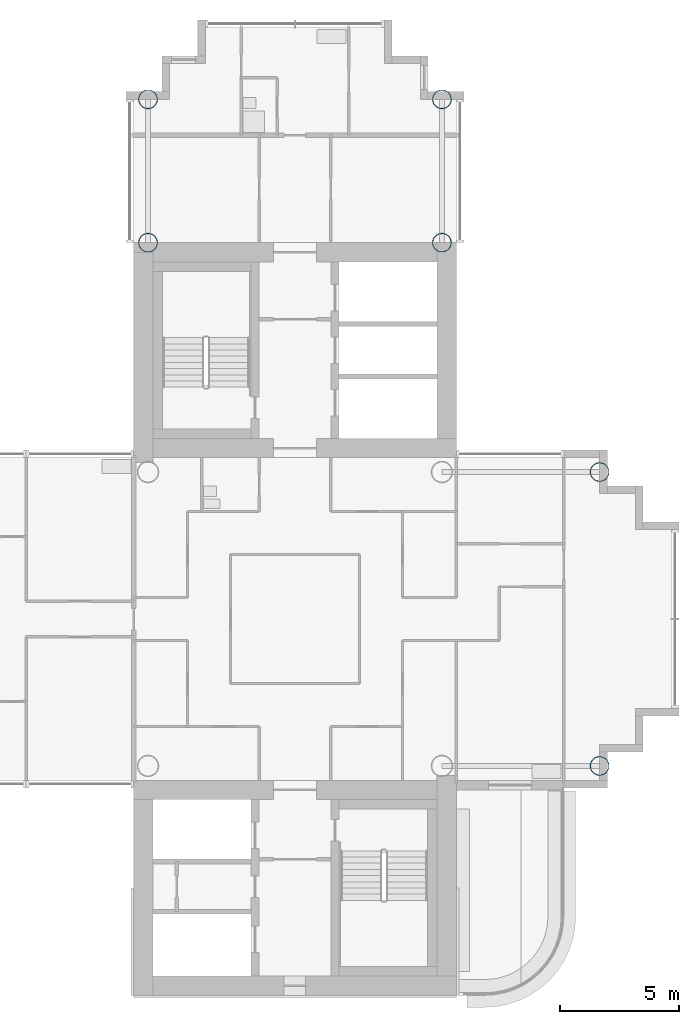
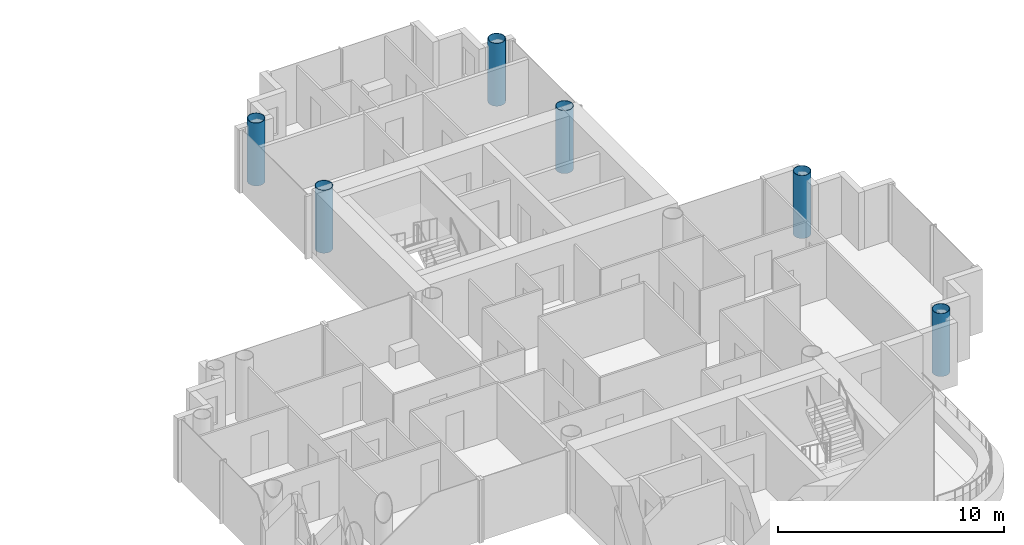
# One storey, part 2 of 20: 6 columns.
"""IFC4 building model written with IfcOpenShell, lengths in metres."""

from ifc_helpers import new_model, si_unit, direction, frame, origin, origin_2d, place, context, subcontext, project, spatial, hollow_circle, extrude, material, material_profile, profile_set, type_object, element, save


model = new_model("IFC4")

# Units and contexts
model_context = context("Model", 3, precision=1e-05, world=origin(), true_north=direction((0.0, 1.0)))
body_context = subcontext(model_context, "Body", "Model", "MODEL_VIEW")
ifc_project = project(units=[si_unit("LENGTHUNIT", "METRE"), si_unit("AREAUNIT", "SQUARE_METRE"), si_unit("VOLUMEUNIT", "CUBIC_METRE"), si_unit("PLANEANGLEUNIT", "RADIAN"), si_unit("MASSUNIT", "GRAM", prefix="KILO")], contexts=[model_context])

# Site, building, storey
site_placement = place(None, origin())
site = spatial("IfcSite", under=ifc_project, at=site_placement, CompositionType="ELEMENT")
building_placement = place(site_placement, origin())
building = spatial("IfcBuilding", under=site, at=building_placement, Name="Ipe Terrace Towers", CompositionType="ELEMENT")
storey_placement = place(building_placement, frame((0.0, 0.0, 154.10009765625)))
storey = spatial("IfcBuildingStorey", under=building, at=storey_placement, Name="L42", CompositionType="ELEMENT", Elevation=154.10009765625)

# Columns
ifc_material = material(Name="Steel S355 tube with Concrete C60/75 fill", Category="concrete")
ifc_material_profile = material_profile(ifc_material, hollow_circle(Radius=0.39990234375, WallThickness=0.028076171875, at=origin_2d()), Name="CHS-800x28")
ifc_profile_set = profile_set([ifc_material_profile], Name="Steel S355 tube with Concrete C60/75 fill")
column_type = type_object("IfcColumnType", Name="CH09 COLUMN CHS-800x28", PredefinedType="COLUMN", material=ifc_profile_set)
for number, where, z_axis, x_axis, name in (
    (1, (42.14990234375, 15.75, 0.0), (0.0, 0.0, 1.0), (1.0, 0.0, 0.0), "Column T2-C-A01"),
    (2, (29.85009765625, 15.75, 0.0), (0.0, 0.0, 1.0), (1.0, 0.0, 0.0), "Column T2-C-A02"),
    (3, (42.14990234375, 21.75, 0.0), (0.0, 0.0, 1.0), (1.0, 0.0, 0.0), "Column T2-C-A03"),
    (4, (29.85009765625, 21.75, 0.0), (0.0, 0.0, 1.0), (1.0, 0.0, 0.0), "Column T2-C-A04"),
    (5, (48.75, -6.14990234375, 0.0), (0.0, 0.0, 1.0), (1.0, 0.0, 0.0), "Column T2-C-D01"),
    (6, (48.75, 6.14990234375, 0.0), (0.0, 0.0, 1.0), (1.0, 0.0, 0.0), "Column T2-C-D02"),
):
    element("IfcColumn", number, at=place(storey_placement, frame(where, z_axis=z_axis, x_axis=x_axis)), inside=storey, type_object=column_type, Name=name, PredefinedType="COLUMN", context=body_context, shape_type="SweptSolid", body=[
        extrude(hollow_circle(Radius=0.39990234375, WallThickness=0.028076171875, at=origin_2d()), origin(), (0.0, 0.0, 1.0), 3.39990234375),
    ])

save(model, "model.ifc")
